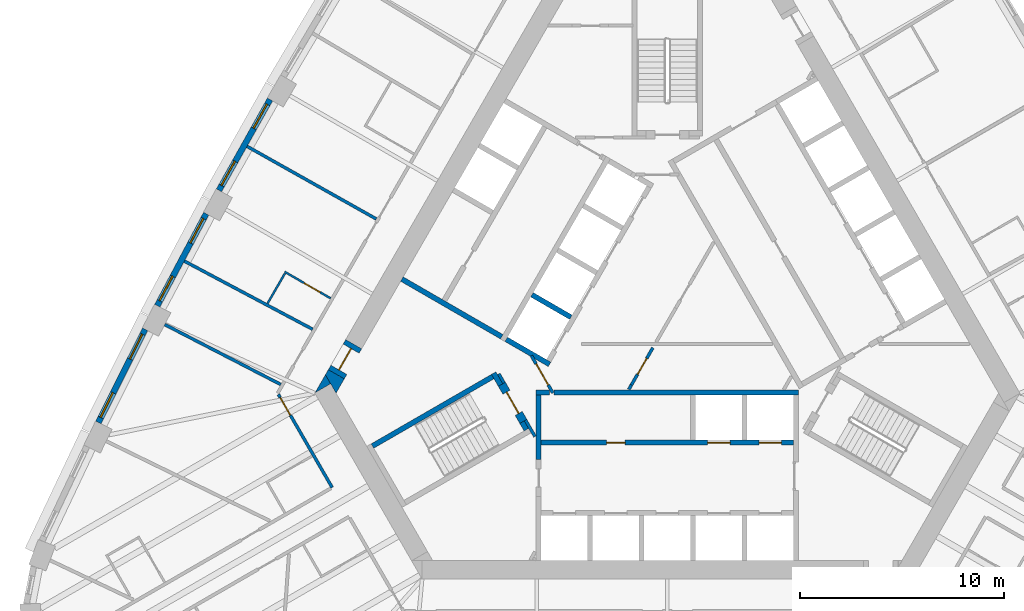
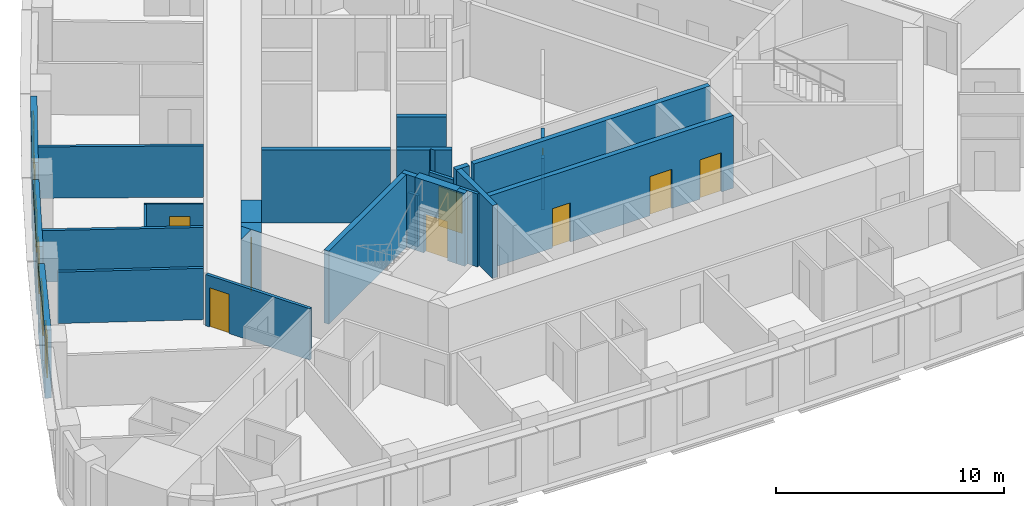
# One storey, part 5 of 13: 28 walls, 9 doors, 6 windows, 15 openings.
"""IFC4 building model written with IfcOpenShell, lengths in metres."""

from ifc_helpers import new_model, si_unit, direction, frame, frame_2d, origin, place, context, subcontext, project, spatial, polyline, rectangle, outline, extrude, material, layer, layer_set, type_object, element, fill, save


model = new_model("IFC4")

# Units and contexts
model_context = context("Model", 3, precision=1e-05, world=origin(), true_north=direction((0.0, 1.0)))
body_context = subcontext(model_context, "Body", "Model", "MODEL_VIEW")
ifc_project = project(units=[si_unit("LENGTHUNIT", "METRE"), si_unit("AREAUNIT", "SQUARE_METRE"), si_unit("VOLUMEUNIT", "CUBIC_METRE"), si_unit("PLANEANGLEUNIT", "RADIAN"), si_unit("MASSUNIT", "GRAM", prefix="KILO")], contexts=[model_context])

# Site, building, storey
site_placement = place(None, origin())
site = spatial("IfcSite", under=ifc_project, at=site_placement, CompositionType="ELEMENT")
building_placement = place(site_placement, origin())
building = spatial("IfcBuilding", under=site, at=building_placement, Name="Mestral Congress Tower", CompositionType="ELEMENT")
storey_placement = place(building_placement, frame((0.0, 0.0, 99.300048828125)))
storey = spatial("IfcBuildingStorey", under=building, at=storey_placement, Name="L23", CompositionType="ELEMENT", Elevation=99.300048828125)

# Walls
ifc_material_1 = material(Name="Fire-rated board partition")
ifc_layer_1 = layer(ifc_material_1, 0.14990234375)
ifc_layer_set_1 = layer_set([ifc_layer_1], Name="Fire-rated board partition")
wall_type_1 = type_object("IfcWallType", Name="Core partition 150", PredefinedType="PARTITIONING", material=ifc_layer_set_1)
wall_1_placement = place(storey_placement, frame((-1.886962890625, -3.71826171875, 0.0), z_axis=(0.0, 0.0, 1.0), x_axis=(0.500165633897, 0.865929753888, 0.0)))
element("IfcWall", 1, at=wall_1_placement, inside=storey, type_object=wall_type_1, Name="L23 core wall", PredefinedType="PARTITIONING", context=body_context, shape_type="SweptSolid", body=[
    extrude(rectangle(XDim=0.25439453125, YDim=0.14990234375, at=frame_2d((0.127197265625, 0.0))), origin(), (0.0, 0.0, 1.0), 2.75),
])
wall_2_placement = place(storey_placement, frame((-8.251953125, -2.958251953125, 0.0), z_axis=(0.0, 0.0, 1.0), x_axis=(0.500174715838, -0.865924508047, 0.0)))
element("IfcWall", 2, at=wall_2_placement, inside=storey, type_object=wall_type_1, Name="L23 core wall", PredefinedType="PARTITIONING", context=body_context, shape_type="SweptSolid", body=[
    extrude(rectangle(XDim=0.513916015625, YDim=0.14990234375, at=frame_2d((0.2568359375, 0.0))), origin(), (0.0, 0.0, 1.0), 2.75),
])

# Wall, opening, door
wall_3_placement = place(storey_placement, frame((-1.759765625, -3.498046875, 0.0), z_axis=(0.0, 0.0, 1.0), x_axis=(0.499977374825, 0.866038466041, 0.0)))
wall_3 = element("IfcWall", 3, at=wall_3_placement, inside=storey, type_object=wall_type_1, Name="L23 door wall", PredefinedType="PARTITIONING", context=body_context, shape_type="SweptSolid", body=[
    extrude(rectangle(XDim=2.10009765625, YDim=0.14990234375, at=frame_2d((1.050048828125, 0.0))), origin(), (0.0, 0.0, 1.0), 2.75),
])
opening_1_placement = place(wall_3_placement, frame((0.60009765625, 0.0, 0.0)))
opening_1 = element("IfcOpeningElement", 4, at=opening_1_placement, cuts=wall_3, Name="Opening CD1-HUB0", PredefinedType="OPENING", context=body_context, shape_type="SweptSolid", body=[
    extrude(rectangle(XDim=0.89990234375, YDim=2.10009765625, at=frame_2d((0.449951171875, 1.050048828125))), frame((0.0, 0.0849609375, 0.0), z_axis=(0.0, -1.0, 0.0), x_axis=(1.0, 0.0, 0.0)), (0.0, 0.0, 1.0), 0.169921875),
])
ifc_material_2 = material(Name="Fire-rated steel door set", Category="steel")
door_type_1 = type_object("IfcDoorType", Name="Core door CD 900x2100", OperationType="SINGLE_SWING_LEFT", PredefinedType="DOOR", material=ifc_material_2)
door_1_placement = place(opening_1_placement, origin())
door_1 = element("IfcDoor", 5, at=door_1_placement, inside=storey, type_object=door_type_1, Name="Door CD1-HUB0", OperationType="SINGLE_SWING_LEFT", OverallHeight=2.10009765625, OverallWidth=0.89990234375, PredefinedType="DOOR", context=body_context, shape_type="SweptSolid", body=[
    extrude(rectangle(XDim=0.89990234375, YDim=2.10009765625, at=frame_2d((0.449951171875, 1.050048828125))), frame((0.0, 0.02490234375, 0.0), z_axis=(0.0, -1.0, 0.0), x_axis=(1.0, 0.0, 0.0)), (0.0, 0.0, 1.0), 0.050048828125),
])
fill(opening_1, door_1)

wall_4_placement = place(storey_placement, frame((-5.606201171875, -3.8896484375, 0.0), z_axis=(0.0, 0.0, 1.0), x_axis=(-0.500027713859, 0.866009402589, 0.0)))
wall_4 = element("IfcWall", 6, at=wall_4_placement, inside=storey, type_object=wall_type_1, Name="L23 door wall", PredefinedType="PARTITIONING", context=body_context, shape_type="SweptSolid", body=[
    extrude(rectangle(XDim=2.10009765625, YDim=0.14990234375, at=frame_2d((1.050048828125, 0.0))), origin(), (0.0, 0.0, 1.0), 2.75),
])
opening_2_placement = place(wall_4_placement, frame((0.449951171875, 0.0, 0.0)))
opening_2 = element("IfcOpeningElement", 7, at=opening_2_placement, cuts=wall_4, Name="Opening CD3-FF", PredefinedType="OPENING", context=body_context, shape_type="SweptSolid", body=[
    extrude(rectangle(XDim=1.199951171875, YDim=2.10009765625, at=frame_2d((0.60009765625, 1.050048828125))), frame((0.0, 0.0849609375, 0.0), z_axis=(0.0, -1.0, 0.0), x_axis=(1.0, 0.0, 0.0)), (0.0, 0.0, 1.0), 0.169921875),
])
door_type_2 = type_object("IfcDoorType", Name="Core door CD 1200x2100", OperationType="SINGLE_SWING_LEFT", PredefinedType="DOOR", material=ifc_material_2)
door_2_placement = place(opening_2_placement, origin())
door_2 = element("IfcDoor", 8, at=door_2_placement, inside=storey, type_object=door_type_2, Name="Door CD3-FF", OperationType="SINGLE_SWING_LEFT", OverallHeight=2.10009765625, OverallWidth=1.199951171875, PredefinedType="DOOR", context=body_context, shape_type="SweptSolid", body=[
    extrude(rectangle(XDim=1.199951171875, YDim=2.10009765625, at=frame_2d((0.60009765625, 1.050048828125))), frame((0.0, 0.02490234375, 0.0), z_axis=(0.0, -1.0, 0.0), x_axis=(1.0, 0.0, 0.0)), (0.0, 0.0, 1.0), 0.050048828125),
])
fill(opening_2, door_2)

# Walls
ifc_material_3 = material(Name="Concrete C60/75", Category="concrete")
ifc_layer_2 = layer(ifc_material_3, 0.89990234375)
ifc_layer_set_2 = layer_set([ifc_layer_2], Name="Concrete C60/75")
wall_type_2 = type_object("IfcWallType", Name="Core wall RC 900", PredefinedType="SOLIDWALL", material=ifc_layer_set_2)
placement = place(storey_placement, origin())
element("IfcWall", 9, at=placement, inside=storey, type_object=wall_type_2, Name="L23 core wall", PredefinedType="SOLIDWALL", context=body_context, shape_type="SweptSolid", body=[
    extrude(outline(polyline([(-16.4892578125, -3.43994140625), (-17.251220703125, -3.8798828125), (-16.7431640625, -3.0), (-16.4892578125, -3.43994140625)])), origin(), (0.0, 0.0, 1.0), 3.89990234375),
])
element("IfcWall", 10, at=placement, inside=storey, type_object=wall_type_2, Name="L23 core wall", PredefinedType="SOLIDWALL", context=body_context, shape_type="SweptSolid", body=[
    extrude(outline(polyline([(-15.81982421875, -3.20068359375), (-16.223388671875, -3.89990234375), (-16.7431640625, -3.0), (-16.599365234375, -2.750732421875), (-15.81982421875, -3.20068359375)])), origin(), (0.0, 0.0, 1.0), 3.89990234375),
])

# Wall, opening, door
wall_7_placement = place(storey_placement, frame((-16.20947265625, -2.9755859375, 0.0), z_axis=(0.0, 0.0, 1.0), x_axis=(0.499954529098, 0.86605165483, 0.0)))
wall_7 = element("IfcWall", 11, at=wall_7_placement, inside=storey, type_object=wall_type_2, Name="L23 door wall", PredefinedType="SOLIDWALL", context=body_context, shape_type="SweptSolid", body=[
    extrude(rectangle(XDim=1.699951171875, YDim=0.89990234375, at=frame_2d((0.85009765625, 0.0))), origin(), (0.0, 0.0, 1.0), 3.89990234375),
])
opening_3_placement = place(wall_7_placement, frame((0.25, 0.0, 0.0)))
opening_3 = element("IfcOpeningElement", 12, at=opening_3_placement, cuts=wall_7, Name="Opening XD3", PredefinedType="OPENING", context=body_context, shape_type="SweptSolid", body=[
    extrude(rectangle(XDim=1.199951171875, YDim=2.10009765625, at=frame_2d((0.60009765625, 1.050048828125))), frame((0.0, 0.4599609375, 0.0), z_axis=(0.0, -1.0, 0.0), x_axis=(1.0, 0.0, 0.0)), (0.0, 0.0, 1.0), 0.919921875),
])
door_type_3 = type_object("IfcDoorType", Name="Core door XD 1200x2100", OperationType="SINGLE_SWING_LEFT", PredefinedType="DOOR", material=ifc_material_2)
door_3_placement = place(opening_3_placement, origin())
door_3 = element("IfcDoor", 13, at=door_3_placement, inside=storey, type_object=door_type_3, Name="Door XD3", OperationType="SINGLE_SWING_LEFT", OverallHeight=2.10009765625, OverallWidth=1.199951171875, PredefinedType="DOOR", context=body_context, shape_type="SweptSolid", body=[
    extrude(rectangle(XDim=1.199951171875, YDim=2.10009765625, at=frame_2d((0.60009765625, 1.050048828125))), frame((0.0, 0.02490234375, 0.0), z_axis=(0.0, -1.0, 0.0), x_axis=(1.0, 0.0, 0.0)), (0.0, 0.0, 1.0), 0.050048828125),
])
fill(opening_3, door_3)

# Wall, openings, windows
ifc_material_4 = material(Name="Precast concrete C40/50 with limestone facing", Category="masonry")
ifc_layer_3 = layer(ifc_material_4, 0.2900390625)
ifc_layer_set_3 = layer_set([ifc_layer_3], Name="Precast concrete C40/50 with limestone facing")
wall_type_3 = type_object("IfcWallType", Name="Facade stone wall 290", PredefinedType="SOLIDWALL", material=ifc_layer_set_3)
wall_8_placement = place(storey_placement, frame((-19.4580078125, 10.479736328125, 0.0), z_axis=(0.0, 0.0, 1.0), x_axis=(-0.48983164787, -0.87181704316, 0.0)))
wall_8 = element("IfcWall", 14, at=wall_8_placement, inside=storey, type_object=wall_type_3, Name="Facade wall F2-04", PredefinedType="SOLIDWALL", context=body_context, shape_type="SweptSolid", body=[
    extrude(rectangle(XDim=5.100341796875, YDim=0.2900390625, at=frame_2d((2.55029296875, 0.0))), origin(), (0.0, 0.0, 1.0), 3.64990234375),
])
opening_4_placement = place(wall_8_placement, frame((0.2724609375, 0.0, 0.89990234375)))
opening_4 = element("IfcOpeningElement", 15, at=opening_4_placement, cuts=wall_8, Name="Opening W2", PredefinedType="OPENING", context=body_context, shape_type="SweptSolid", body=[
    extrude(rectangle(XDim=1.35009765625, YDim=2.14990234375, at=frame_2d((0.675048828125, 1.074951171875))), frame((0.0, 0.155029296875, 0.0), z_axis=(0.0, -1.0, 0.0), x_axis=(1.0, 0.0, 0.0)), (0.0, 0.0, 1.0), 0.31005859375),
])
opening_5_placement = place(wall_8_placement, frame((3.477783203125, 0.0, 0.89990234375)))
opening_5 = element("IfcOpeningElement", 16, at=opening_5_placement, cuts=wall_8, Name="Opening W2", PredefinedType="OPENING", context=body_context, shape_type="SweptSolid", body=[
    extrude(rectangle(XDim=1.35009765625, YDim=2.14990234375, at=frame_2d((0.675048828125, 1.074951171875))), frame((0.0, 0.155029296875, 0.0), z_axis=(0.0, -1.0, 0.0), x_axis=(1.0, 0.0, 0.0)), (0.0, 0.0, 1.0), 0.31005859375),
])
ifc_material_5 = material(Name="Clear low-emissivity double glazing", Category="glass")
window_type = type_object("IfcWindowType", Name="Facade punched window 1350 x 2150 sill 900", PartitioningType="DOUBLE_PANEL_VERTICAL", PredefinedType="WINDOW", material=ifc_material_5)
window_1_placement = place(opening_4_placement, origin())
window_1 = element("IfcWindow", 17, at=window_1_placement, inside=storey, type_object=window_type, Name="Window F2-04a", OverallHeight=2.14990234375, OverallWidth=1.35009765625, PartitioningType="DOUBLE_PANEL_VERTICAL", PredefinedType="WINDOW", context=body_context, shape_type="SweptSolid", body=[
    extrude(rectangle(XDim=1.35009765625, YDim=2.14990234375, at=frame_2d((0.675048828125, 1.074951171875))), frame((0.0, 0.01513671875, 0.0), z_axis=(0.0, -1.0, 0.0), x_axis=(1.0, 0.0, 0.0)), (0.0, 0.0, 1.0), 0.06005859375),
])
fill(opening_4, window_1)
window_2_placement = place(opening_5_placement, origin())
window_2 = element("IfcWindow", 18, at=window_2_placement, inside=storey, type_object=window_type, Name="Window F2-04b", OverallHeight=2.14990234375, OverallWidth=1.35009765625, PartitioningType="DOUBLE_PANEL_VERTICAL", PredefinedType="WINDOW", context=body_context, shape_type="SweptSolid", body=[
    extrude(rectangle(XDim=1.35009765625, YDim=2.14990234375, at=frame_2d((0.675048828125, 1.074951171875))), frame((0.0, 0.01513671875, 0.0), z_axis=(0.0, -1.0, 0.0), x_axis=(1.0, 0.0, 0.0)), (0.0, 0.0, 1.0), 0.06005859375),
])
fill(opening_5, window_2)

wall_9_placement = place(storey_placement, frame((-22.5830078125, 4.88671875, 0.0), z_axis=(0.0, 0.0, 1.0), x_axis=(-0.469323203119, -0.883026461106, 0.0)))
wall_9 = element("IfcWall", 19, at=wall_9_placement, inside=storey, type_object=wall_type_3, Name="Facade wall F2-05", PredefinedType="SOLIDWALL", context=body_context, shape_type="SweptSolid", body=[
    extrude(rectangle(XDim=5.1005859375, YDim=0.2900390625, at=frame_2d((2.55029296875, 0.0))), origin(), (0.0, 0.0, 1.0), 3.64990234375),
])
opening_6_placement = place(wall_9_placement, frame((0.272705078125, 0.0, 0.89990234375)))
opening_6 = element("IfcOpeningElement", 20, at=opening_6_placement, cuts=wall_9, Name="Opening W2", PredefinedType="OPENING", context=body_context, shape_type="SweptSolid", body=[
    extrude(rectangle(XDim=1.35009765625, YDim=2.14990234375, at=frame_2d((0.675048828125, 1.074951171875))), frame((0.0, 0.155029296875, 0.0), z_axis=(0.0, -1.0, 0.0), x_axis=(1.0, 0.0, 0.0)), (0.0, 0.0, 1.0), 0.31005859375),
])
opening_7_placement = place(wall_9_placement, frame((3.477783203125, 0.0, 0.89990234375)))
opening_7 = element("IfcOpeningElement", 21, at=opening_7_placement, cuts=wall_9, Name="Opening W2", PredefinedType="OPENING", context=body_context, shape_type="SweptSolid", body=[
    extrude(rectangle(XDim=1.35009765625, YDim=2.14990234375, at=frame_2d((0.675048828125, 1.074951171875))), frame((0.0, 0.155029296875, 0.0), z_axis=(0.0, -1.0, 0.0), x_axis=(1.0, 0.0, 0.0)), (0.0, 0.0, 1.0), 0.31005859375),
])
window_3_placement = place(opening_6_placement, origin())
window_3 = element("IfcWindow", 22, at=window_3_placement, inside=storey, type_object=window_type, Name="Window F2-05a", OverallHeight=2.14990234375, OverallWidth=1.35009765625, PartitioningType="DOUBLE_PANEL_VERTICAL", PredefinedType="WINDOW", context=body_context, shape_type="SweptSolid", body=[
    extrude(rectangle(XDim=1.35009765625, YDim=2.14990234375, at=frame_2d((0.675048828125, 1.074951171875))), frame((0.0, 0.01513671875, 0.0), z_axis=(0.0, -1.0, 0.0), x_axis=(1.0, 0.0, 0.0)), (0.0, 0.0, 1.0), 0.06005859375),
])
fill(opening_6, window_3)
window_4_placement = place(opening_7_placement, origin())
window_4 = element("IfcWindow", 23, at=window_4_placement, inside=storey, type_object=window_type, Name="Window F2-05b", OverallHeight=2.14990234375, OverallWidth=1.35009765625, PartitioningType="DOUBLE_PANEL_VERTICAL", PredefinedType="WINDOW", context=body_context, shape_type="SweptSolid", body=[
    extrude(rectangle(XDim=1.35009765625, YDim=2.14990234375, at=frame_2d((0.675048828125, 1.074951171875))), frame((0.0, 0.01513671875, 0.0), z_axis=(0.0, -1.0, 0.0), x_axis=(1.0, 0.0, 0.0)), (0.0, 0.0, 1.0), 0.06005859375),
])
fill(opening_7, window_4)

wall_10_placement = place(storey_placement, frame((-25.576416015625, -0.77783203125, 0.0), z_axis=(0.0, 0.0, 1.0), x_axis=(-0.448534297211, -0.893765620409, 0.0)))
wall_10 = element("IfcWall", 24, at=wall_10_placement, inside=storey, type_object=wall_type_3, Name="Facade wall F2-06", PredefinedType="SOLIDWALL", context=body_context, shape_type="SweptSolid", body=[
    extrude(rectangle(XDim=5.10009765625, YDim=0.2900390625, at=frame_2d((2.550048828125, 0.0))), origin(), (0.0, 0.0, 1.0), 3.64990234375),
])
opening_8_placement = place(wall_10_placement, frame((0.2724609375, 0.0, 0.89990234375)))
opening_8 = element("IfcOpeningElement", 25, at=opening_8_placement, cuts=wall_10, Name="Opening W2", PredefinedType="OPENING", context=body_context, shape_type="SweptSolid", body=[
    extrude(rectangle(XDim=1.35009765625, YDim=2.14990234375, at=frame_2d((0.675048828125, 1.074951171875))), frame((0.0, 0.155029296875, 0.0), z_axis=(0.0, -1.0, 0.0), x_axis=(1.0, 0.0, 0.0)), (0.0, 0.0, 1.0), 0.31005859375),
])
opening_9_placement = place(wall_10_placement, frame((3.477783203125, 0.0, 0.89990234375)))
opening_9 = element("IfcOpeningElement", 26, at=opening_9_placement, cuts=wall_10, Name="Opening W2", PredefinedType="OPENING", context=body_context, shape_type="SweptSolid", body=[
    extrude(rectangle(XDim=1.35009765625, YDim=2.14990234375, at=frame_2d((0.675048828125, 1.074951171875))), frame((0.0, 0.155029296875, 0.0), z_axis=(0.0, -1.0, 0.0), x_axis=(1.0, 0.0, 0.0)), (0.0, 0.0, 1.0), 0.31005859375),
])
window_5_placement = place(opening_8_placement, origin())
window_5 = element("IfcWindow", 27, at=window_5_placement, inside=storey, type_object=window_type, Name="Window F2-06a", OverallHeight=2.14990234375, OverallWidth=1.35009765625, PartitioningType="DOUBLE_PANEL_VERTICAL", PredefinedType="WINDOW", context=body_context, shape_type="SweptSolid", body=[
    extrude(rectangle(XDim=1.35009765625, YDim=2.14990234375, at=frame_2d((0.675048828125, 1.074951171875))), frame((0.0, 0.01513671875, 0.0), z_axis=(0.0, -1.0, 0.0), x_axis=(1.0, 0.0, 0.0)), (0.0, 0.0, 1.0), 0.06005859375),
])
fill(opening_8, window_5)
window_6_placement = place(opening_9_placement, origin())
window_6 = element("IfcWindow", 28, at=window_6_placement, inside=storey, type_object=window_type, Name="Window F2-06b", OverallHeight=2.14990234375, OverallWidth=1.35009765625, PartitioningType="DOUBLE_PANEL_VERTICAL", PredefinedType="WINDOW", context=body_context, shape_type="SweptSolid", body=[
    extrude(rectangle(XDim=1.35009765625, YDim=2.14990234375, at=frame_2d((0.675048828125, 1.074951171875))), frame((0.0, 0.01513671875, 0.0), z_axis=(0.0, -1.0, 0.0), x_axis=(1.0, 0.0, 0.0)), (0.0, 0.0, 1.0), 0.06005859375),
])
fill(opening_9, window_6)

# Wall, opening, door
ifc_material_6 = material(Name="Gypsum board partition on metal studs with mineral wool", Category="composite")
ifc_layer_4 = layer(ifc_material_6, 0.10009765625)
ifc_layer_set_4 = layer_set([ifc_layer_4], Name="Gypsum board partition on metal studs with mineral wool")
wall_type_4 = type_object("IfcWallType", Name="Hotel partition wall 100", PredefinedType="PARTITIONING", material=ifc_layer_set_4)
wall_11_placement = place(storey_placement, frame((-16.4873046875, 0.742919921875, 0.0), z_axis=(0.0, 0.0, 1.0), x_axis=(-0.866021400173, 0.500006934395, 0.0)))
wall_11 = element("IfcWall", 29, at=wall_11_placement, inside=storey, type_object=wall_type_4, Name="L23-h-pod23a", PredefinedType="PARTITIONING", context=body_context, shape_type="SweptSolid", body=[
    extrude(rectangle(XDim=2.60009765625, YDim=0.10009765625, at=frame_2d((1.300048828125, 0.0))), origin(), (0.0, 0.0, 1.0), 2.75),
])
opening_10_placement = place(wall_11_placement, frame((0.60009765625, 0.0, 0.0)))
opening_10 = element("IfcOpeningElement", 30, at=opening_10_placement, cuts=wall_11, Name="Opening H07-044", PredefinedType="OPENING", context=body_context, shape_type="SweptSolid", body=[
    extrude(rectangle(XDim=0.89990234375, YDim=2.10009765625, at=frame_2d((0.449951171875, 1.050048828125))), frame((0.0, 0.06005859375, 0.0), z_axis=(0.0, -1.0, 0.0), x_axis=(1.0, 0.0, 0.0)), (0.0, 0.0, 1.0), 0.1201171875),
])
ifc_material_7 = material(Name="Timber veneer door leaf in timber frame", Category="wood")
door_type_4 = type_object("IfcDoorType", Name="Bathroom door 900", OperationType="SINGLE_SWING_LEFT", PredefinedType="DOOR", material=ifc_material_7)
door_4_placement = place(opening_10_placement, origin())
door_4 = element("IfcDoor", 31, at=door_4_placement, inside=storey, type_object=door_type_4, Name="L23-h-d044", OperationType="SINGLE_SWING_LEFT", OverallHeight=2.10009765625, OverallWidth=0.89990234375, PredefinedType="DOOR", context=body_context, shape_type="SweptSolid", body=[
    extrude(rectangle(XDim=0.89990234375, YDim=2.10009765625, at=frame_2d((0.449951171875, 1.050048828125))), frame((0.0, 0.02490234375, 0.0), z_axis=(0.0, -1.0, 0.0), x_axis=(1.0, 0.0, 0.0)), (0.0, 0.0, 1.0), 0.050048828125),
])
fill(opening_10, door_4)

# Wall
wall_12_placement = place(storey_placement, frame((-18.725830078125, 1.966064453125, 0.0), z_axis=(0.0, 0.0, 1.0), x_axis=(-0.499954529098, -0.86605165483, 0.0)))
element("IfcWall", 32, at=wall_12_placement, inside=storey, type_object=wall_type_4, Name="L23-h-pod23b", PredefinedType="PARTITIONING", context=body_context, shape_type="SweptSolid", body=[
    extrude(rectangle(XDim=1.699951171875, YDim=0.10009765625, at=frame_2d((0.85009765625, 0.0))), origin(), (0.0, 0.0, 1.0), 2.75),
])

# Wall, opening, door
ifc_layer_5 = layer(ifc_material_6, 0.14990234375)
ifc_layer_set_5 = layer_set([ifc_layer_5], Name="Gypsum board partition on metal studs with mineral wool")
wall_type_5 = type_object("IfcWallType", Name="Hotel partition wall 150", PredefinedType="PARTITIONING", material=ifc_layer_set_5)
wall_13_placement = place(storey_placement, frame((-16.412353515625, -8.52294921875, 0.0), z_axis=(0.0, 0.0, 1.0), x_axis=(-0.500001929737, 0.866024289647, 0.0)))
wall_13 = element("IfcWall", 33, at=wall_13_placement, inside=storey, type_object=wall_type_5, Name="L23-h-cw09", PredefinedType="PARTITIONING", context=body_context, shape_type="SweptSolid", body=[
    extrude(rectangle(XDim=5.26806640625, YDim=0.14990234375, at=frame_2d((2.634033203125, 0.0))), origin(), (0.0, 0.0, 1.0), 2.75),
])
opening_11_placement = place(wall_13_placement, frame((4.088134765625, 0.0, 0.0)))
opening_11 = element("IfcOpeningElement", 34, at=opening_11_placement, cuts=wall_13, Name="Opening H07-046", PredefinedType="OPENING", context=body_context, shape_type="SweptSolid", body=[
    extrude(rectangle(XDim=1.0, YDim=2.10009765625, at=frame_2d((0.5, 1.050048828125))), frame((0.0, 0.0849609375, 0.0), z_axis=(0.0, -1.0, 0.0), x_axis=(1.0, 0.0, 0.0)), (0.0, 0.0, 1.0), 0.169921875),
])
ifc_material_8 = material(Name="Timber veneer door leaf in metal frame", Category="wood")
door_type_5 = type_object("IfcDoorType", Name="Guest room entrance door 1000", OperationType="SINGLE_SWING_LEFT", PredefinedType="DOOR", material=ifc_material_8)
door_5_placement = place(opening_11_placement, origin())
door_5 = element("IfcDoor", 35, at=door_5_placement, inside=storey, type_object=door_type_5, Name="L23-h-d046", OperationType="SINGLE_SWING_RIGHT", OverallHeight=2.10009765625, OverallWidth=1.0, PredefinedType="DOOR", context=body_context, shape_type="SweptSolid", body=[
    extrude(rectangle(XDim=1.0, YDim=2.10009765625, at=frame_2d((0.5, 1.050048828125))), frame((0.0, 0.02490234375, 0.0), z_axis=(0.0, -1.0, 0.0), x_axis=(1.0, 0.0, 0.0)), (0.0, 0.0, 1.0), 0.050048828125),
])
fill(opening_11, door_5)

# Walls
wall_14_placement = place(storey_placement, frame((-24.612548828125, -0.54052734375, 0.0), z_axis=(0.0, 0.0, 1.0), x_axis=(0.888459912519, -0.458954228487, 0.0)))
element("IfcWall", 36, at=wall_14_placement, inside=storey, type_object=wall_type_5, Name="L23-h-pw04", PredefinedType="PARTITIONING", context=body_context, shape_type="SweptSolid", body=[
    extrude(rectangle(XDim=6.391845703125, YDim=0.14990234375, at=frame_2d((3.19580078125, 0.0))), origin(), (0.0, 0.0, 1.0), 2.75),
])
wall_15_placement = place(storey_placement, frame((-23.65185546875, 2.56689453125, 0.0), z_axis=(0.0, 0.0, 1.0), x_axis=(0.883019237957, -0.469336793144, 0.0)))
element("IfcWall", 37, at=wall_15_placement, inside=storey, type_object=wall_type_5, Name="L23-h-pw06", PredefinedType="PARTITIONING", context=body_context, shape_type="SweptSolid", body=[
    extrude(rectangle(XDim=7.11083984375, YDim=0.14990234375, at=frame_2d((3.555419921875, 0.0))), origin(), (0.0, 0.0, 1.0), 2.75),
])
wall_16_placement = place(storey_placement, frame((-20.580810546875, 8.185302734375, 0.0), z_axis=(0.0, 0.0, 1.0), x_axis=(0.871820720803, -0.489825102233, 0.0)))
element("IfcWall", 38, at=wall_16_placement, inside=storey, type_object=wall_type_5, Name="L23-h-pw07", PredefinedType="PARTITIONING", context=body_context, shape_type="SweptSolid", body=[
    extrude(rectangle(XDim=7.256591796875, YDim=0.14990234375, at=frame_2d((3.62841796875, 0.0))), origin(), (0.0, 0.0, 1.0), 2.75),
])
ifc_layer_6 = layer(ifc_material_3, 0.25)
ifc_layer_set_6 = layer_set([ifc_layer_6], Name="Concrete C60/75")
wall_type_6 = type_object("IfcWallType", Name="Shaft wall RC 250", PredefinedType="SOLIDWALL", material=ifc_layer_set_6)
wall_17_placement = place(storey_placement, frame((-5.544921875, -3.875, 0.0), z_axis=(0.0, 0.0, 1.0), x_axis=(1.0, 0.0, 0.0)))
element("IfcWall", 39, at=wall_17_placement, inside=storey, type_object=wall_type_6, Name="L23 core wall", PredefinedType="SOLIDWALL", context=body_context, shape_type="SweptSolid", body=[
    extrude(rectangle(XDim=11.969970703125, YDim=0.25, at=frame_2d((5.98486328125, 0.0))), origin(), (0.0, 0.0, 1.0), 3.89990234375),
])
wall_18_placement = place(storey_placement, frame((-6.425048828125, -3.875, 0.0), z_axis=(0.0, 0.0, 1.0), x_axis=(1.0, 0.0, 0.0)))
element("IfcWall", 40, at=wall_18_placement, inside=storey, type_object=wall_type_6, Name="L23 core wall", PredefinedType="SOLIDWALL", context=body_context, shape_type="SweptSolid", body=[
    extrude(rectangle(XDim=0.657958984375, YDim=0.25, at=frame_2d((0.3291015625, 0.0))), origin(), (0.0, 0.0, 1.0), 3.89990234375),
])
wall_19_placement = place(storey_placement, frame((-6.300048828125, -4.0, 0.0), z_axis=(0.0, 0.0, 1.0), x_axis=(0.0, -1.0, 0.0)))
element("IfcWall", 41, at=wall_19_placement, inside=storey, type_object=wall_type_6, Name="L23 core wall", PredefinedType="SOLIDWALL", context=body_context, shape_type="SweptSolid", body=[
    extrude(rectangle(XDim=3.154296875, YDim=0.25, at=frame_2d((1.5771484375, 0.0))), origin(), (0.0, 0.0, 1.0), 3.89990234375),
])
wall_20_placement = place(storey_placement, frame((-4.72412109375, -0.182373046875, 0.0), z_axis=(0.0, 0.0, 1.0), x_axis=(-0.866008176907, 0.50002983664, 0.0)))
element("IfcWall", 42, at=wall_20_placement, inside=storey, type_object=wall_type_6, Name="L23 core wall", PredefinedType="SOLIDWALL", context=body_context, shape_type="SweptSolid", body=[
    extrude(rectangle(XDim=2.199951171875, YDim=0.25, at=frame_2d((1.10009765625, 0.0))), origin(), (0.0, 0.0, 1.0), 3.89990234375),
])
element("IfcWall", 43, at=placement, inside=storey, type_object=wall_type_6, Name="L23 core wall", PredefinedType="SOLIDWALL", context=body_context, shape_type="SweptSolid", body=[
    extrude(outline(polyline([(-5.921630859375, -2.256591796875), (-5.921630859375, -2.256591796875), (-5.705078125, -2.381591796875), (-5.830078125, -2.597900390625), (-6.48291015625, -2.22119140625), (-6.59130859375, -2.033447265625), (-6.59130859375, -2.033447265625), (-6.69970703125, -2.095947265625), (-7.951904296875, -1.373046875), (-7.826904296875, -1.156494140625), (-5.921630859375, -2.256591796875)])), origin(), (0.0, 0.0, 1.0), 3.89990234375),
])
wall_22_placement = place(storey_placement, frame((-8.10595703125, -1.139892578125, 0.0), z_axis=(0.0, 0.0, 1.0), x_axis=(-0.866000643155, 0.500042884217, 0.0)))
element("IfcWall", 44, at=wall_22_placement, inside=storey, type_object=wall_type_6, Name="L23 core wall", PredefinedType="SOLIDWALL", context=body_context, shape_type="SweptSolid", body=[
    extrude(rectangle(XDim=5.64990234375, YDim=0.25, at=frame_2d((2.824951171875, 0.0))), origin(), (0.0, 0.0, 1.0), 3.89990234375),
])

# Wall, openings, doors
wall_23_placement = place(storey_placement, frame((-6.175048828125, -6.324951171875, 0.0), z_axis=(0.0, 0.0, 1.0), x_axis=(1.0, 0.0, 0.0)))
wall_23 = element("IfcWall", 45, at=wall_23_placement, inside=storey, type_object=wall_type_6, Name="L23 door wall", PredefinedType="SOLIDWALL", context=body_context, shape_type="SweptSolid", body=[
    extrude(rectangle(XDim=12.35009765625, YDim=0.25, at=frame_2d((6.175048828125, 0.0))), origin(), (0.0, 0.0, 1.0), 3.89990234375),
])
opening_12_placement = place(wall_23_placement, frame((3.205078125, 0.0, 0.0)))
opening_12 = element("IfcOpeningElement", 46, at=opening_12_placement, cuts=wall_23, Name="Opening SR-SOB1", PredefinedType="OPENING", context=body_context, shape_type="SweptSolid", body=[
    extrude(rectangle(XDim=0.89990234375, YDim=2.10009765625, at=frame_2d((0.449951171875, 1.050048828125))), frame((0.0, 0.135009765625, 0.0), z_axis=(0.0, -1.0, 0.0), x_axis=(1.0, 0.0, 0.0)), (0.0, 0.0, 1.0), 0.27001953125),
])
opening_13_placement = place(wall_23_placement, frame((8.14501953125, 0.0, 0.0)))
opening_13 = element("IfcOpeningElement", 47, at=opening_13_placement, cuts=wall_23, Name="Opening LD-SOB4", PredefinedType="OPENING", context=body_context, shape_type="SweptSolid", body=[
    extrude(rectangle(XDim=1.10009765625, YDim=2.10009765625, at=frame_2d((0.550048828125, 1.050048828125))), frame((0.0, 0.135009765625, 0.0), z_axis=(0.0, -1.0, 0.0), x_axis=(1.0, 0.0, 0.0)), (0.0, 0.0, 1.0), 0.27001953125),
])
opening_14_placement = place(wall_23_placement, frame((10.6650390625, 0.0, 0.0)))
opening_14 = element("IfcOpeningElement", 48, at=opening_14_placement, cuts=wall_23, Name="Opening LD-SOB5", PredefinedType="OPENING", context=body_context, shape_type="SweptSolid", body=[
    extrude(rectangle(XDim=1.10009765625, YDim=2.10009765625, at=frame_2d((0.550048828125, 1.050048828125))), frame((0.0, 0.135009765625, 0.0), z_axis=(0.0, -1.0, 0.0), x_axis=(1.0, 0.0, 0.0)), (0.0, 0.0, 1.0), 0.27001953125),
])
door_type_6 = type_object("IfcDoorType", Name="Core door LD 1100x2100", OperationType="DOUBLE_DOOR_SLIDING", PredefinedType="DOOR", material=ifc_material_2)
door_6_placement = place(opening_13_placement, origin())
door_6 = element("IfcDoor", 49, at=door_6_placement, inside=storey, type_object=door_type_6, Name="Door LD-SOB4", OperationType="DOUBLE_DOOR_SLIDING", OverallHeight=2.10009765625, OverallWidth=1.10009765625, PredefinedType="DOOR", context=body_context, shape_type="SweptSolid", body=[
    extrude(rectangle(XDim=1.10009765625, YDim=2.10009765625, at=frame_2d((0.550048828125, 1.050048828125))), frame((0.0, 0.02490234375, 0.0), z_axis=(0.0, -1.0, 0.0), x_axis=(1.0, 0.0, 0.0)), (0.0, 0.0, 1.0), 0.050048828125),
])
fill(opening_13, door_6)
door_7_placement = place(opening_14_placement, origin())
door_7 = element("IfcDoor", 50, at=door_7_placement, inside=storey, type_object=door_type_6, Name="Door LD-SOB5", OperationType="DOUBLE_DOOR_SLIDING", OverallHeight=2.10009765625, OverallWidth=1.10009765625, PredefinedType="DOOR", context=body_context, shape_type="SweptSolid", body=[
    extrude(rectangle(XDim=1.10009765625, YDim=2.10009765625, at=frame_2d((0.550048828125, 1.050048828125))), frame((0.0, 0.02490234375, 0.0), z_axis=(0.0, -1.0, 0.0), x_axis=(1.0, 0.0, 0.0)), (0.0, 0.0, 1.0), 0.050048828125),
])
fill(opening_14, door_7)
door_type_7 = type_object("IfcDoorType", Name="Core door SR 900x2100", OperationType="SINGLE_SWING_LEFT", PredefinedType="DOOR", material=ifc_material_2)
door_8_placement = place(opening_12_placement, origin())
door_8 = element("IfcDoor", 51, at=door_8_placement, inside=storey, type_object=door_type_7, Name="Door SR-SOB1", OperationType="SINGLE_SWING_LEFT", OverallHeight=2.10009765625, OverallWidth=0.89990234375, PredefinedType="DOOR", context=body_context, shape_type="SweptSolid", body=[
    extrude(rectangle(XDim=0.89990234375, YDim=2.10009765625, at=frame_2d((0.449951171875, 1.050048828125))), frame((0.0, 0.02490234375, 0.0), z_axis=(0.0, -1.0, 0.0), x_axis=(1.0, 0.0, 0.0)), (0.0, 0.0, 1.0), 0.050048828125),
])
fill(opening_12, door_8)

# Walls
ifc_layer_7 = layer(ifc_material_3, 0.14990234375)
ifc_layer_set_7 = layer_set([ifc_layer_7], Name="Concrete C60/75")
wall_type_7 = type_object("IfcWallType", Name="Shaft wall RC 250 door-wall 150", PredefinedType="SOLIDWALL", material=ifc_layer_set_7)
wall_24_placement = place(storey_placement, frame((-6.48046875, -6.026611328125, 0.0), z_axis=(0.0, 0.0, 1.0), x_axis=(-0.499927229454, 0.866067413802, 0.0)))
element("IfcWall", 52, at=wall_24_placement, inside=storey, type_object=wall_type_7, Name="L23 core wall", PredefinedType="PARTITIONING", context=body_context, shape_type="SweptSolid", body=[
    extrude(rectangle(XDim=0.928955078125, YDim=0.14990234375, at=frame_2d((0.46435546875, 0.0))), origin(), (0.0, 0.0, 1.0), 3.89990234375),
])
ifc_layer_8 = layer(ifc_material_3, 0.25)
ifc_layer_set_8 = layer_set([ifc_layer_8], Name="Concrete C60/75")
wall_type_8 = type_object("IfcWallType", Name="Stair wall RC 250", PredefinedType="SOLIDWALL", material=ifc_layer_set_8)
wall_25_placement = place(storey_placement, frame((-14.43994140625, -6.489501953125, 0.0), z_axis=(0.0, 0.0, 1.0), x_axis=(0.866022966069, 0.500004222222, 0.0)))
element("IfcWall", 53, at=wall_25_placement, inside=storey, type_object=wall_type_8, Name="L23 core wall", PredefinedType="SOLIDWALL", context=body_context, shape_type="SweptSolid", body=[
    extrude(rectangle(XDim=6.80029296875, YDim=0.25, at=frame_2d((3.400146484375, 0.0))), origin(), (0.0, 0.0, 1.0), 3.89990234375),
])
wall_26_placement = place(storey_placement, frame((-8.167724609375, -3.503173828125, 0.0), z_axis=(0.0, 0.0, 1.0), x_axis=(-0.499952099219, 0.866053057547, 0.0)))
element("IfcWall", 54, at=wall_26_placement, inside=storey, type_object=wall_type_8, Name="L23 core wall", PredefinedType="SOLIDWALL", context=body_context, shape_type="SweptSolid", body=[
    extrude(rectangle(XDim=0.6748046875, YDim=0.25, at=frame_2d((0.33740234375, 0.0))), origin(), (0.0, 0.0, 1.0), 3.89990234375),
])
wall_27_placement = place(storey_placement, frame((-6.905029296875, -5.68994140625, 0.0), z_axis=(0.0, 0.0, 1.0), x_axis=(-0.500402024738, 0.865793170242, 0.0)))
element("IfcWall", 55, at=wall_27_placement, inside=storey, type_object=wall_type_8, Name="L23 core wall", PredefinedType="SOLIDWALL", context=body_context, shape_type="SweptSolid", body=[
    extrude(rectangle(XDim=0.425048828125, YDim=0.25, at=frame_2d((0.21240234375, 0.0))), origin(), (0.0, 0.0, 1.0), 3.89990234375),
])

# Wall, opening, door
ifc_layer_9 = layer(ifc_material_3, 0.39990234375)
ifc_layer_set_9 = layer_set([ifc_layer_9], Name="Concrete C60/75")
wall_type_9 = type_object("IfcWallType", Name="Stair wall RC 250 door-wall 400", PredefinedType="SOLIDWALL", material=ifc_layer_set_9)
wall_28_placement = place(storey_placement, frame((-8.102783203125, -3.4658203125, 0.0), z_axis=(0.0, 0.0, 1.0), x_axis=(0.500078061341, -0.865980330357, 0.0)))
wall_28 = element("IfcWall", 56, at=wall_28_placement, inside=storey, type_object=wall_type_9, Name="L23 door wall", PredefinedType="SOLIDWALL", context=body_context, shape_type="SweptSolid", body=[
    extrude(rectangle(XDim=2.099853515625, YDim=0.39990234375, at=frame_2d((1.0498046875, 0.0))), origin(), (0.0, 0.0, 1.0), 3.89990234375),
])
opening_15_placement = place(wall_28_placement, frame((0.449951171875, 0.0, 0.0)))
opening_15 = element("IfcOpeningElement", 57, at=opening_15_placement, cuts=wall_28, Name="Opening ST-D3", PredefinedType="OPENING", context=body_context, shape_type="SweptSolid", body=[
    extrude(rectangle(XDim=1.199951171875, YDim=2.10009765625, at=frame_2d((0.60009765625, 1.050048828125))), frame((0.0, 0.2099609375, 0.0), z_axis=(0.0, -1.0, 0.0), x_axis=(1.0, 0.0, 0.0)), (0.0, 0.0, 1.0), 0.419921875),
])
door_type_8 = type_object("IfcDoorType", Name="Core door ST 1200x2100", OperationType="SINGLE_SWING_LEFT", PredefinedType="DOOR", material=ifc_material_2)
door_9_placement = place(opening_15_placement, origin())
door_9 = element("IfcDoor", 58, at=door_9_placement, inside=storey, type_object=door_type_8, Name="Door ST-D3", OperationType="SINGLE_SWING_LEFT", OverallHeight=2.10009765625, OverallWidth=1.199951171875, PredefinedType="DOOR", context=body_context, shape_type="SweptSolid", body=[
    extrude(rectangle(XDim=1.199951171875, YDim=2.10009765625, at=frame_2d((0.60009765625, 1.050048828125))), frame((0.0, 0.02490234375, 0.0), z_axis=(0.0, -1.0, 0.0), x_axis=(1.0, 0.0, 0.0)), (0.0, 0.0, 1.0), 0.050048828125),
])
fill(opening_15, door_9)

save(model, "model.ifc")
